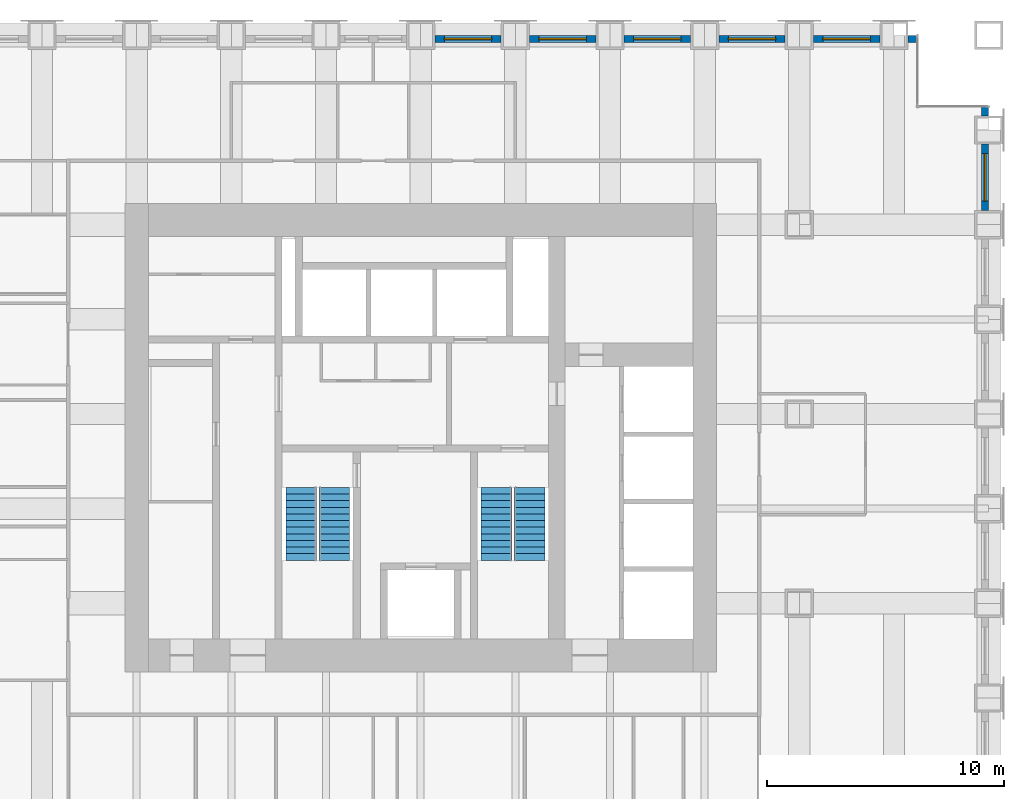
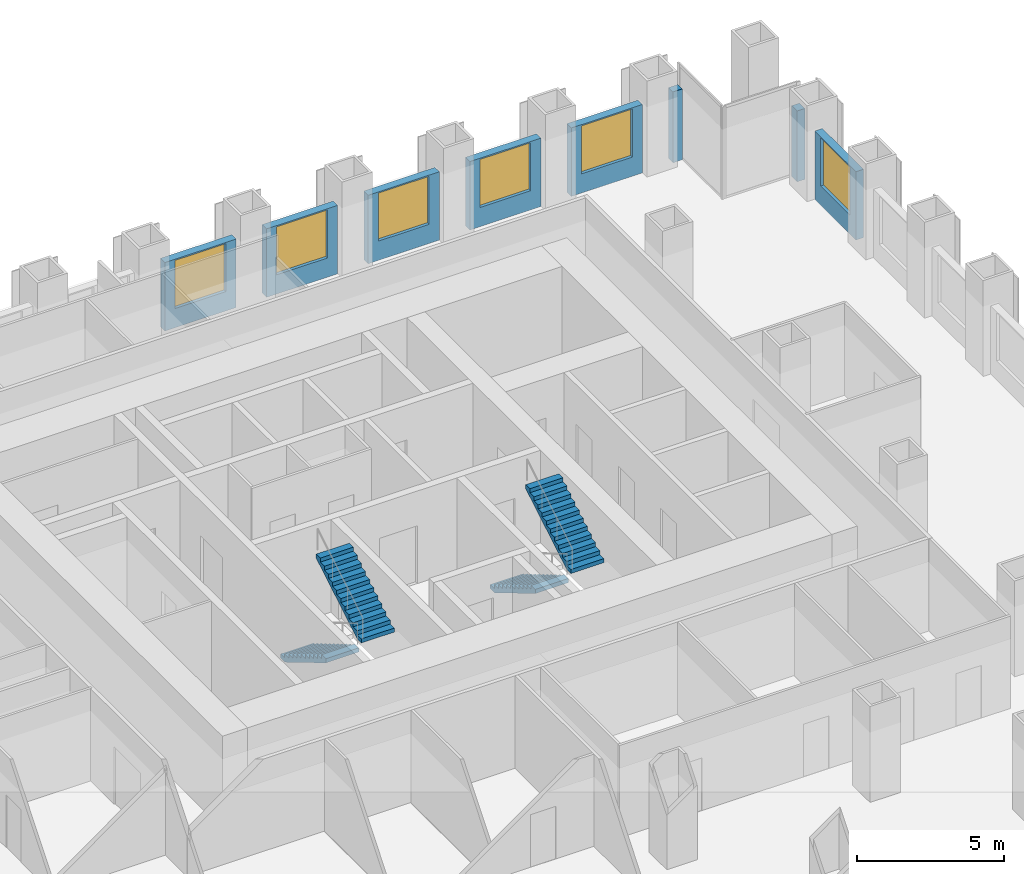
# One storey, part 13 of 15: 8 walls, 6 windows, 4 stair flights, 6 openings, 2 elements without a shape of their own.
"""IFC4 building model written with IfcOpenShell, lengths in metres."""

from ifc_helpers import new_model, si_unit, direction, frame, frame_2d, origin, place, context, subcontext, project, spatial, polyline, rectangle, outline, extrude, material, layer, layer_set, type_object, element, fill, aggregate, save


model = new_model("IFC4")

# Units and contexts
model_context = context("Model", 3, precision=1e-05, world=origin(), true_north=direction((0.0, 1.0)))
body_context = subcontext(model_context, "Body", "Model", "MODEL_VIEW")
ifc_project = project(units=[si_unit("LENGTHUNIT", "METRE"), si_unit("AREAUNIT", "SQUARE_METRE"), si_unit("VOLUMEUNIT", "CUBIC_METRE"), si_unit("PLANEANGLEUNIT", "RADIAN"), si_unit("MASSUNIT", "GRAM", prefix="KILO")], contexts=[model_context])

# Site, building, storey
site_placement = place(None, origin())
site = spatial("IfcSite", under=ifc_project, at=site_placement, CompositionType="ELEMENT")
building_placement = place(site_placement, origin())
building = spatial("IfcBuilding", under=site, at=building_placement, Name="Rimbunsela Tower", CompositionType="ELEMENT")
storey_placement = place(building_placement, frame((0.0, 0.0, 35.0)))
storey = spatial("IfcBuildingStorey", under=building, at=storey_placement, Name="L08", CompositionType="ELEMENT", Elevation=35.0)

# Wall, opening, window
ifc_material_1 = material(Name="Precast concrete fc' 35 MPa", Category="concrete")
ifc_layer = layer(ifc_material_1, 0.300048828125)
ifc_layer_set = layer_set([ifc_layer], Name="Precast concrete fc' 35 MPa")
wall_type = type_object("IfcWallType", Name="Precast facade panel 300", PredefinedType="ELEMENTEDWALL", material=ifc_layer_set)
wall_1_placement = place(storey_placement, frame((53.85009765625, 36.60009765625, 0.0), z_axis=(0.0, 0.0, 1.0), x_axis=(0.0, 1.0, 0.0)))
wall_1 = element("IfcWall", 1, at=wall_1_placement, inside=storey, type_object=wall_type, Name="Facade panel E L08", PredefinedType="ELEMENTEDWALL", context=body_context, shape_type="SweptSolid", body=[
    extrude(rectangle(XDim=2.7998046875, YDim=0.300048828125, at=frame_2d((1.39990234375, 0.0))), origin(), (0.0, 0.0, 1.0), 2.85009765625),
])
opening_1_placement = place(wall_1_placement, frame((0.39990234375, 0.0, 0.800048828125)))
opening_1 = element("IfcOpeningElement", 2, at=opening_1_placement, cuts=wall_1, Name="Opening W1", PredefinedType="OPENING", context=body_context, shape_type="SweptSolid", body=[
    extrude(rectangle(XDim=2.0, YDim=2.0, at=frame_2d((1.0, 1.0))), frame((0.0, 0.159912109375, 0.0), z_axis=(0.0, -1.0, 0.0), x_axis=(1.0, 0.0, 0.0)), (0.0, 0.0, 1.0), 0.320068359375),
])
ifc_material_2 = material(Name="Clear glass in aluminium frame", Category="aluminium")
window_type = type_object("IfcWindowType", Name="Window W1 2000x2000", PartitioningType="DOUBLE_PANEL_VERTICAL", PredefinedType="WINDOW", material=ifc_material_2)
window_1_placement = place(opening_1_placement, origin())
window_1 = element("IfcWindow", 3, at=window_1_placement, inside=storey, type_object=window_type, Name="Window L08", OverallHeight=2.0, OverallWidth=2.0, PartitioningType="SINGLE_PANEL", PredefinedType="WINDOW", context=body_context, shape_type="SweptSolid", body=[
    extrude(rectangle(XDim=2.0, YDim=2.0, at=frame_2d((1.0, 1.0))), frame((0.0, 0.030029296875, 0.0), z_axis=(0.0, -1.0, 0.0), x_axis=(1.0, 0.0, 0.0)), (0.0, 0.0, 1.0), 0.06005859375),
])
fill(opening_1, window_1)

# Wall
wall_2_placement = place(storey_placement, frame((53.85009765625, 40.60009765625, 0.0), z_axis=(0.0, 0.0, 1.0), x_axis=(0.0, 1.0, 0.0)))
element("IfcWall", 4, at=wall_2_placement, inside=storey, type_object=wall_type, Name="Facade panel E L08", PredefinedType="ELEMENTEDWALL", context=body_context, shape_type="SweptSolid", body=[
    extrude(rectangle(XDim=0.369873046875, YDim=0.300048828125, at=frame_2d((0.18505859375, 0.0))), origin(), (0.0, 0.0, 1.0), 2.949951171875),
])

# Wall, opening, window
wall_3_placement = place(storey_placement, frame((33.39990234375, 43.85009765625, 0.0), z_axis=(0.0, 0.0, 1.0), x_axis=(-1.0, 0.0, 0.0)))
wall_3 = element("IfcWall", 5, at=wall_3_placement, inside=storey, type_object=wall_type, Name="Facade panel N L08", PredefinedType="ELEMENTEDWALL", context=body_context, shape_type="SweptSolid", body=[
    extrude(rectangle(XDim=2.7998046875, YDim=0.300048828125, at=frame_2d((1.39990234375, 0.0))), origin(), (0.0, 0.0, 1.0), 2.85009765625),
])
opening_2_placement = place(wall_3_placement, frame((0.39990234375, 0.0, 0.800048828125)))
opening_2 = element("IfcOpeningElement", 6, at=opening_2_placement, cuts=wall_3, Name="Opening W1", PredefinedType="OPENING", context=body_context, shape_type="SweptSolid", body=[
    extrude(rectangle(XDim=2.0, YDim=2.0, at=frame_2d((1.0, 1.0))), frame((0.0, 0.159912109375, 0.0), z_axis=(0.0, -1.0, 0.0), x_axis=(1.0, 0.0, 0.0)), (0.0, 0.0, 1.0), 0.320068359375),
])
window_2_placement = place(opening_2_placement, origin())
window_2 = element("IfcWindow", 7, at=window_2_placement, inside=storey, type_object=window_type, Name="Window L08", OverallHeight=2.0, OverallWidth=2.0, PartitioningType="SINGLE_PANEL", PredefinedType="WINDOW", context=body_context, shape_type="SweptSolid", body=[
    extrude(rectangle(XDim=2.0, YDim=2.0, at=frame_2d((1.0, 1.0))), frame((0.0, 0.030029296875, 0.0), z_axis=(0.0, -1.0, 0.0), x_axis=(1.0, 0.0, 0.0)), (0.0, 0.0, 1.0), 0.06005859375),
])
fill(opening_2, window_2)

wall_4_placement = place(storey_placement, frame((37.39990234375, 43.85009765625, 0.0), z_axis=(0.0, 0.0, 1.0), x_axis=(-1.0, 0.0, 0.0)))
wall_4 = element("IfcWall", 8, at=wall_4_placement, inside=storey, type_object=wall_type, Name="Facade panel N L08", PredefinedType="ELEMENTEDWALL", context=body_context, shape_type="SweptSolid", body=[
    extrude(rectangle(XDim=2.7998046875, YDim=0.300048828125, at=frame_2d((1.39990234375, 0.0))), origin(), (0.0, 0.0, 1.0), 2.85009765625),
])
opening_3_placement = place(wall_4_placement, frame((0.39990234375, 0.0, 0.800048828125)))
opening_3 = element("IfcOpeningElement", 9, at=opening_3_placement, cuts=wall_4, Name="Opening W1", PredefinedType="OPENING", context=body_context, shape_type="SweptSolid", body=[
    extrude(rectangle(XDim=2.0, YDim=2.0, at=frame_2d((1.0, 1.0))), frame((0.0, 0.159912109375, 0.0), z_axis=(0.0, -1.0, 0.0), x_axis=(1.0, 0.0, 0.0)), (0.0, 0.0, 1.0), 0.320068359375),
])
window_3_placement = place(opening_3_placement, origin())
window_3 = element("IfcWindow", 10, at=window_3_placement, inside=storey, type_object=window_type, Name="Window L08", OverallHeight=2.0, OverallWidth=2.0, PartitioningType="SINGLE_PANEL", PredefinedType="WINDOW", context=body_context, shape_type="SweptSolid", body=[
    extrude(rectangle(XDim=2.0, YDim=2.0, at=frame_2d((1.0, 1.0))), frame((0.0, 0.030029296875, 0.0), z_axis=(0.0, -1.0, 0.0), x_axis=(1.0, 0.0, 0.0)), (0.0, 0.0, 1.0), 0.06005859375),
])
fill(opening_3, window_3)

wall_5_placement = place(storey_placement, frame((41.39990234375, 43.85009765625, 0.0), z_axis=(0.0, 0.0, 1.0), x_axis=(-1.0, 0.0, 0.0)))
wall_5 = element("IfcWall", 11, at=wall_5_placement, inside=storey, type_object=wall_type, Name="Facade panel N L08", PredefinedType="ELEMENTEDWALL", context=body_context, shape_type="SweptSolid", body=[
    extrude(rectangle(XDim=2.7998046875, YDim=0.300048828125, at=frame_2d((1.39990234375, 0.0))), origin(), (0.0, 0.0, 1.0), 2.85009765625),
])
opening_4_placement = place(wall_5_placement, frame((0.39990234375, 0.0, 0.800048828125)))
opening_4 = element("IfcOpeningElement", 12, at=opening_4_placement, cuts=wall_5, Name="Opening W1", PredefinedType="OPENING", context=body_context, shape_type="SweptSolid", body=[
    extrude(rectangle(XDim=2.0, YDim=2.0, at=frame_2d((1.0, 1.0))), frame((0.0, 0.159912109375, 0.0), z_axis=(0.0, -1.0, 0.0), x_axis=(1.0, 0.0, 0.0)), (0.0, 0.0, 1.0), 0.320068359375),
])
window_4_placement = place(opening_4_placement, origin())
window_4 = element("IfcWindow", 13, at=window_4_placement, inside=storey, type_object=window_type, Name="Window L08", OverallHeight=2.0, OverallWidth=2.0, PartitioningType="SINGLE_PANEL", PredefinedType="WINDOW", context=body_context, shape_type="SweptSolid", body=[
    extrude(rectangle(XDim=2.0, YDim=2.0, at=frame_2d((1.0, 1.0))), frame((0.0, 0.030029296875, 0.0), z_axis=(0.0, -1.0, 0.0), x_axis=(1.0, 0.0, 0.0)), (0.0, 0.0, 1.0), 0.06005859375),
])
fill(opening_4, window_4)

wall_6_placement = place(storey_placement, frame((45.39990234375, 43.85009765625, 0.0), z_axis=(0.0, 0.0, 1.0), x_axis=(-1.0, 0.0, 0.0)))
wall_6 = element("IfcWall", 14, at=wall_6_placement, inside=storey, type_object=wall_type, Name="Facade panel N L08", PredefinedType="ELEMENTEDWALL", context=body_context, shape_type="SweptSolid", body=[
    extrude(rectangle(XDim=2.7998046875, YDim=0.300048828125, at=frame_2d((1.39990234375, 0.0))), origin(), (0.0, 0.0, 1.0), 2.85009765625),
])
opening_5_placement = place(wall_6_placement, frame((0.39990234375, 0.0, 0.800048828125)))
opening_5 = element("IfcOpeningElement", 15, at=opening_5_placement, cuts=wall_6, Name="Opening W1", PredefinedType="OPENING", context=body_context, shape_type="SweptSolid", body=[
    extrude(rectangle(XDim=2.0, YDim=2.0, at=frame_2d((1.0, 1.0))), frame((0.0, 0.159912109375, 0.0), z_axis=(0.0, -1.0, 0.0), x_axis=(1.0, 0.0, 0.0)), (0.0, 0.0, 1.0), 0.320068359375),
])
window_5_placement = place(opening_5_placement, origin())
window_5 = element("IfcWindow", 16, at=window_5_placement, inside=storey, type_object=window_type, Name="Window L08", OverallHeight=2.0, OverallWidth=2.0, PartitioningType="SINGLE_PANEL", PredefinedType="WINDOW", context=body_context, shape_type="SweptSolid", body=[
    extrude(rectangle(XDim=2.0, YDim=2.0, at=frame_2d((1.0, 1.0))), frame((0.0, 0.030029296875, 0.0), z_axis=(0.0, -1.0, 0.0), x_axis=(1.0, 0.0, 0.0)), (0.0, 0.0, 1.0), 0.06005859375),
])
fill(opening_5, window_5)

wall_7_placement = place(storey_placement, frame((49.39990234375, 43.85009765625, 0.0), z_axis=(0.0, 0.0, 1.0), x_axis=(-1.0, 0.0, 0.0)))
wall_7 = element("IfcWall", 17, at=wall_7_placement, inside=storey, type_object=wall_type, Name="Facade panel N L08", PredefinedType="ELEMENTEDWALL", context=body_context, shape_type="SweptSolid", body=[
    extrude(rectangle(XDim=2.7998046875, YDim=0.300048828125, at=frame_2d((1.39990234375, 0.0))), origin(), (0.0, 0.0, 1.0), 2.85009765625),
])
opening_6_placement = place(wall_7_placement, frame((0.39990234375, 0.0, 0.800048828125)))
opening_6 = element("IfcOpeningElement", 18, at=opening_6_placement, cuts=wall_7, Name="Opening W1", PredefinedType="OPENING", context=body_context, shape_type="SweptSolid", body=[
    extrude(rectangle(XDim=2.0, YDim=2.0, at=frame_2d((1.0, 1.0))), frame((0.0, 0.159912109375, 0.0), z_axis=(0.0, -1.0, 0.0), x_axis=(1.0, 0.0, 0.0)), (0.0, 0.0, 1.0), 0.320068359375),
])
window_6_placement = place(opening_6_placement, origin())
window_6 = element("IfcWindow", 19, at=window_6_placement, inside=storey, type_object=window_type, Name="Window L08", OverallHeight=2.0, OverallWidth=2.0, PartitioningType="SINGLE_PANEL", PredefinedType="WINDOW", context=body_context, shape_type="SweptSolid", body=[
    extrude(rectangle(XDim=2.0, YDim=2.0, at=frame_2d((1.0, 1.0))), frame((0.0, 0.030029296875, 0.0), z_axis=(0.0, -1.0, 0.0), x_axis=(1.0, 0.0, 0.0)), (0.0, 0.0, 1.0), 0.06005859375),
])
fill(opening_6, window_6)

# Wall
wall_8_placement = place(storey_placement, frame((50.969970703125, 43.85009765625, 0.0), z_axis=(0.0, 0.0, 1.0), x_axis=(-1.0, 0.0, 0.0)))
element("IfcWall", 20, at=wall_8_placement, inside=storey, type_object=wall_type, Name="Facade panel N L08", PredefinedType="ELEMENTEDWALL", context=body_context, shape_type="SweptSolid", body=[
    extrude(rectangle(XDim=0.369873046875, YDim=0.300048828125, at=frame_2d((0.18505859375, 0.0))), origin(), (0.0, 0.0, 1.0), 2.949951171875),
])

# Stair, stair flights
ifc_material_3 = material(Name="Concrete fc' 35 MPa", Category="concrete")
stair_type = type_object("IfcStairType", Name="Exit stair 24 risers", PredefinedType="HALF_TURN_STAIR", material=ifc_material_3)
stair_1_placement = place(storey_placement, origin())
stair_1 = element("IfcStair", 21, at=stair_1_placement, inside=storey, type_object=stair_type, Name="Exit stair A L08", PredefinedType="HALF_TURN_STAIR")
ifc_material_4 = material(Name="Concrete fc' 35 MPa", Category="concrete")
stair_flight_type = type_object("IfcStairFlightType", Name="Stair flight 12 risers 167", PredefinedType="STRAIGHT", material=ifc_material_4)
stair_flight_1_placement = place(storey_placement, frame((24.949951171875, 24.89990234375, 0.0), z_axis=(0.0, 0.0, 1.0), x_axis=(0.0, -1.0, 0.0)))
stair_flight_1 = element("IfcStairFlight", 22, at=stair_flight_1_placement, type_object=stair_flight_type, Name="ST-A flight 1", NumberOfRisers=12, NumberOfTreads=11, PredefinedType="STRAIGHT", RiserHeight=0.166666667, TreadLength=0.28, context=body_context, shape_type="SweptSolid", body=[
    extrude(outline(polyline([(0.0, 0.0), (0.0, 0.166748046875), (0.280029296875, 0.166748046875), (0.280029296875, 0.333251953125), (0.56005859375, 0.333251953125), (0.56005859375, 0.5), (0.840087890625, 0.5), (0.840087890625, 0.666748046875), (1.1201171875, 0.666748046875), (1.1201171875, 0.833251953125), (1.39990234375, 0.833251953125), (1.39990234375, 1.0), (1.679931640625, 1.0), (1.679931640625, 1.166748046875), (1.9599609375, 1.166748046875), (1.9599609375, 1.333251953125), (2.239990234375, 1.333251953125), (2.239990234375, 1.5), (2.52001953125, 1.5), (2.52001953125, 1.666748046875), (2.800048828125, 1.666748046875), (2.800048828125, 1.833251953125), (3.080078125, 1.833251953125), (3.080078125, 2.0), (3.080078125, 1.658935546875), (0.29296875, 0.0), (0.0, 0.0)])), frame((0.0, 0.64990234375, 0.0), z_axis=(0.0, -1.0, 0.0), x_axis=(1.0, 0.0, 0.0)), (0.0, 0.0, 1.0), 1.300048828125),
])
stair_flight_2_placement = place(storey_placement, frame((26.35009765625, 21.820068359375, 2.0), z_axis=(0.0, 0.0, 1.0), x_axis=(0.0, 1.0, 0.0)))
stair_flight_2 = element("IfcStairFlight", 23, at=stair_flight_2_placement, type_object=stair_flight_type, Name="ST-A flight 2", NumberOfRisers=12, NumberOfTreads=11, PredefinedType="STRAIGHT", RiserHeight=0.166666667, TreadLength=0.28, context=body_context, shape_type="SweptSolid", body=[
    extrude(outline(polyline([(0.0, 0.0), (0.0, 0.166748046875), (0.280029296875, 0.166748046875), (0.280029296875, 0.333251953125), (0.56005859375, 0.333251953125), (0.56005859375, 0.5), (0.840087890625, 0.5), (0.840087890625, 0.666748046875), (1.1201171875, 0.666748046875), (1.1201171875, 0.833251953125), (1.39990234375, 0.833251953125), (1.39990234375, 1.0), (1.679931640625, 1.0), (1.679931640625, 1.166748046875), (1.9599609375, 1.166748046875), (1.9599609375, 1.333251953125), (2.239990234375, 1.333251953125), (2.239990234375, 1.5), (2.52001953125, 1.5), (2.52001953125, 1.666748046875), (2.800048828125, 1.666748046875), (2.800048828125, 1.833251953125), (3.080078125, 1.833251953125), (3.080078125, 2.0), (3.080078125, 1.658935546875), (0.29296875, 0.0), (0.0, 0.0)])), frame((0.0, 0.64990234375, 0.0), z_axis=(0.0, -1.0, 0.0), x_axis=(1.0, 0.0, 0.0)), (0.0, 0.0, 1.0), 1.300048828125),
])
aggregate(stair_1, [stair_flight_1, stair_flight_2])

stair_2_placement = place(storey_placement, origin())
stair_2 = element("IfcStair", 24, at=stair_2_placement, inside=storey, type_object=stair_type, Name="Exit stair B L08", PredefinedType="HALF_TURN_STAIR")
stair_flight_3_placement = place(storey_placement, frame((33.199951171875, 24.89990234375, 0.0), z_axis=(0.0, 0.0, 1.0), x_axis=(0.0, -1.0, 0.0)))
stair_flight_3 = element("IfcStairFlight", 25, at=stair_flight_3_placement, type_object=stair_flight_type, Name="ST-B flight 1", NumberOfRisers=12, NumberOfTreads=11, PredefinedType="STRAIGHT", RiserHeight=0.166666667, TreadLength=0.28, context=body_context, shape_type="SweptSolid", body=[
    extrude(outline(polyline([(0.0, 0.0), (0.0, 0.166748046875), (0.280029296875, 0.166748046875), (0.280029296875, 0.333251953125), (0.56005859375, 0.333251953125), (0.56005859375, 0.5), (0.840087890625, 0.5), (0.840087890625, 0.666748046875), (1.1201171875, 0.666748046875), (1.1201171875, 0.833251953125), (1.39990234375, 0.833251953125), (1.39990234375, 1.0), (1.679931640625, 1.0), (1.679931640625, 1.166748046875), (1.9599609375, 1.166748046875), (1.9599609375, 1.333251953125), (2.239990234375, 1.333251953125), (2.239990234375, 1.5), (2.52001953125, 1.5), (2.52001953125, 1.666748046875), (2.800048828125, 1.666748046875), (2.800048828125, 1.833251953125), (3.080078125, 1.833251953125), (3.080078125, 2.0), (3.080078125, 1.658935546875), (0.29296875, 0.0), (0.0, 0.0)])), frame((0.0, 0.64990234375, 0.0), z_axis=(0.0, -1.0, 0.0), x_axis=(1.0, 0.0, 0.0)), (0.0, 0.0, 1.0), 1.300048828125),
])
stair_flight_4_placement = place(storey_placement, frame((34.60009765625, 21.820068359375, 2.0), z_axis=(0.0, 0.0, 1.0), x_axis=(0.0, 1.0, 0.0)))
stair_flight_4 = element("IfcStairFlight", 26, at=stair_flight_4_placement, type_object=stair_flight_type, Name="ST-B flight 2", NumberOfRisers=12, NumberOfTreads=11, PredefinedType="STRAIGHT", RiserHeight=0.166666667, TreadLength=0.28, context=body_context, shape_type="SweptSolid", body=[
    extrude(outline(polyline([(0.0, 0.0), (0.0, 0.166748046875), (0.280029296875, 0.166748046875), (0.280029296875, 0.333251953125), (0.56005859375, 0.333251953125), (0.56005859375, 0.5), (0.840087890625, 0.5), (0.840087890625, 0.666748046875), (1.1201171875, 0.666748046875), (1.1201171875, 0.833251953125), (1.39990234375, 0.833251953125), (1.39990234375, 1.0), (1.679931640625, 1.0), (1.679931640625, 1.166748046875), (1.9599609375, 1.166748046875), (1.9599609375, 1.333251953125), (2.239990234375, 1.333251953125), (2.239990234375, 1.5), (2.52001953125, 1.5), (2.52001953125, 1.666748046875), (2.800048828125, 1.666748046875), (2.800048828125, 1.833251953125), (3.080078125, 1.833251953125), (3.080078125, 2.0), (3.080078125, 1.658935546875), (0.29296875, 0.0), (0.0, 0.0)])), frame((0.0, 0.64990234375, 0.0), z_axis=(0.0, -1.0, 0.0), x_axis=(1.0, 0.0, 0.0)), (0.0, 0.0, 1.0), 1.300048828125),
])
aggregate(stair_2, [stair_flight_3, stair_flight_4])

save(model, "model.ifc")
